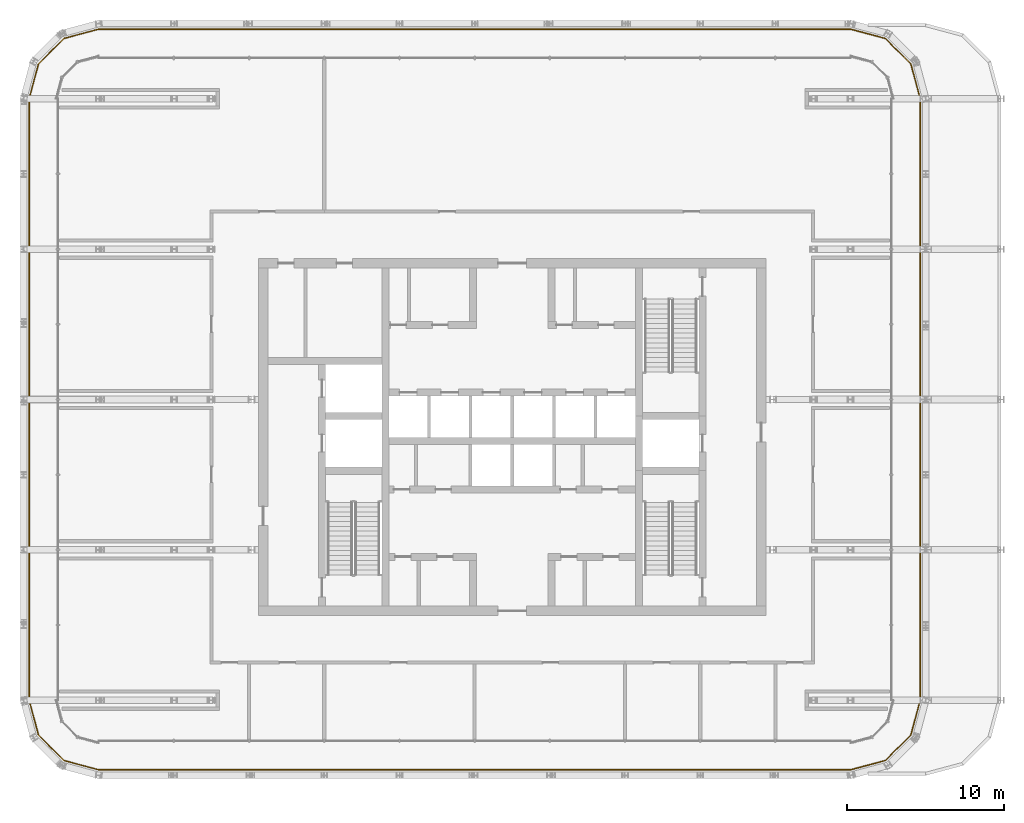
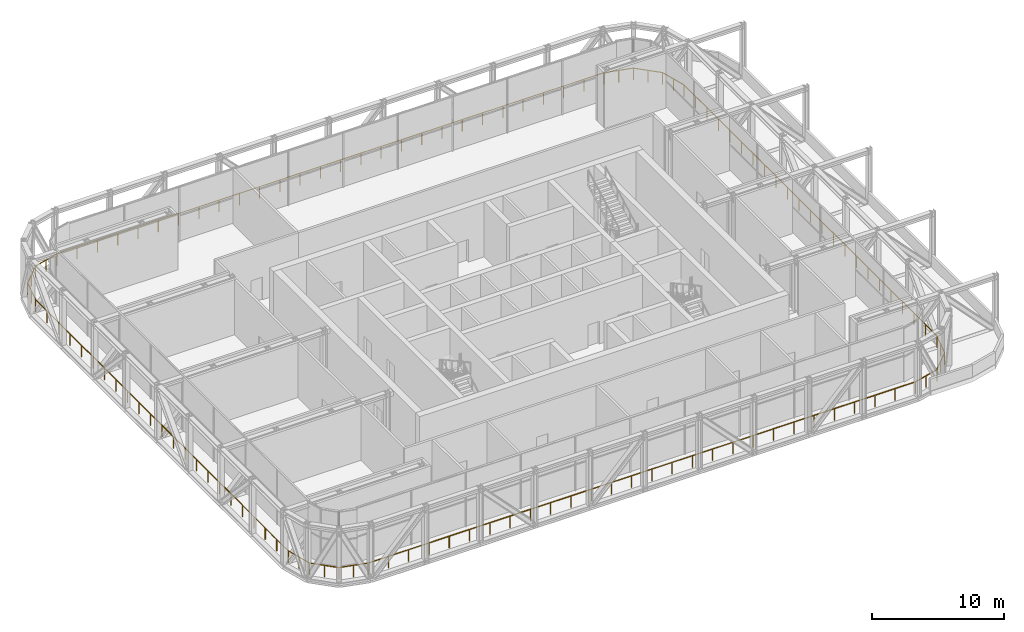
# One storey, part 23 of 26: 2 railings.
"""IFC4 building model written with IfcOpenShell, lengths in metres."""

from ifc_helpers import new_model, si_unit, direction, frame, origin, origin_2d, place, context, subcontext, project, spatial, circle, extrude, material, type_object, element, save


model = new_model("IFC4")

# Units and contexts
model_context = context("Model", 3, precision=1e-05, world=origin(), true_north=direction((0.0, 1.0)))
body_context = subcontext(model_context, "Body", "Model", "MODEL_VIEW")
ifc_project = project(units=[si_unit("LENGTHUNIT", "METRE"), si_unit("AREAUNIT", "SQUARE_METRE"), si_unit("VOLUMEUNIT", "CUBIC_METRE"), si_unit("PLANEANGLEUNIT", "RADIAN"), si_unit("MASSUNIT", "GRAM", prefix="KILO")], contexts=[model_context])

# Site, building, storey
site_placement = place(None, origin())
site = spatial("IfcSite", under=ifc_project, at=site_placement, CompositionType="ELEMENT")
building_placement = place(site_placement, origin())
building = spatial("IfcBuilding", under=site, at=building_placement, Name="Madar Terraces", CompositionType="ELEMENT")
storey_placement = place(building_placement, frame((0.0, 0.0, 233.300048828125)))
storey = spatial("IfcBuildingStorey", under=building, at=storey_placement, Name="L61", CompositionType="ELEMENT", Elevation=233.300048828125)

# Railings
ifc_material = material(Name="Glass, safety glazing, with stainless steel posts", Category="steel")
railing_type = type_object("IfcRailingType", Name="Balcony glass guard 1100", PredefinedType="GUARDRAIL", material=ifc_material)
railing_1_placement = place(storey_placement, frame((52.800048828125, 5.154541015625, 0.0)))
element("IfcRailing", 1, at=railing_1_placement, inside=storey, type_object=railing_type, Name="Gallery guard", PredefinedType="GUARDRAIL", context=body_context, shape_type="SweptSolid", body=[
    extrude(circle(Radius=0.02392578125, at=origin_2d()), frame((0.0, 0.0, 1.076171875), z_axis=(0.96593668607, 0.258778512448, 0.0), x_axis=(-0.258778512448, 0.96593668607, 0.0)), (0.0, 0.0, 1.0), 2.301025390625),
    extrude(circle(Radius=0.02392578125, at=origin_2d()), frame((2.22265625, 0.595458984375, 1.076171875), z_axis=(0.707106781187, 0.707106781187, 0.0), x_axis=(-0.707106781187, 0.707106781187, 0.0)), (0.0, 0.0, 1.0), 2.30126953125),
    extrude(circle(Radius=0.02392578125, at=origin_2d()), frame((3.849853515625, 2.22265625, 1.076171875), z_axis=(0.258850976204, 0.965917269811, 0.0), x_axis=(-0.965917269811, 0.258850976204, 0.0)), (0.0, 0.0, 1.0), 2.30126953125),
    extrude(circle(Radius=0.02392578125, at=origin_2d()), frame((4.445556640625, 4.445556640625, 1.076171875), z_axis=(0.0, 1.0, 0.0), x_axis=(-1.0, 0.0, 0.0)), (0.0, 0.0, 1.0), 38.39990234375),
    extrude(circle(Radius=0.02392578125, at=origin_2d()), frame((4.445556640625, 42.845458984375, 1.076171875), z_axis=(-0.258850976204, 0.965917269811, 0.0), x_axis=(-0.965917269811, -0.258850976204, 0.0)), (0.0, 0.0, 1.0), 2.30126953125),
    extrude(circle(Radius=0.02392578125, at=origin_2d()), frame((3.849853515625, 45.068359375, 1.076171875), z_axis=(-0.707159829446, 0.707053728947, 0.0), x_axis=(-0.707053728947, -0.707159829446, 0.0)), (0.0, 0.0, 1.0), 2.301025390625),
    extrude(circle(Radius=0.02392578125, at=origin_2d()), frame((2.22265625, 46.6953125, 1.076171875), z_axis=(-0.965910160519, 0.258877503478, 0.0), x_axis=(-0.258877503478, -0.965910160519, 0.0)), (0.0, 0.0, 1.0), 2.301025390625),
    extrude(circle(Radius=0.02392578125, at=origin_2d()), frame((0.0, 47.291015625, 1.076171875), z_axis=(-1.0, 0.0, 0.0), x_axis=(0.0, -1.0, 0.0)), (0.0, 0.0, 1.0), 48.0),
    extrude(circle(Radius=0.02099609375, at=origin_2d()), origin(), (0.0, 0.0, 1.0), 1.052001953125),
    extrude(circle(Radius=0.02099609375, at=origin_2d()), frame((1.111328125, 0.2978515625, 0.0)), (0.0, 0.0, 1.0), 1.052001953125),
    extrude(circle(Radius=0.02099609375, at=origin_2d()), frame((2.22265625, 0.595458984375, 0.0)), (0.0, 0.0, 1.0), 1.052001953125),
    extrude(circle(Radius=0.02099609375, at=origin_2d()), frame((3.0361328125, 1.4091796875, 0.0)), (0.0, 0.0, 1.0), 1.052001953125),
    extrude(circle(Radius=0.02099609375, at=origin_2d()), frame((3.849853515625, 2.22265625, 0.0)), (0.0, 0.0, 1.0), 1.052001953125),
    extrude(circle(Radius=0.02099609375, at=origin_2d()), frame((4.147705078125, 3.333984375, 0.0)), (0.0, 0.0, 1.0), 1.052001953125),
    extrude(circle(Radius=0.02099609375, at=origin_2d()), frame((4.445556640625, 4.445556640625, 0.0)), (0.0, 0.0, 1.0), 1.052001953125),
    extrude(circle(Radius=0.02099609375, at=origin_2d()), frame((4.445556640625, 6.19091796875, 0.0)), (0.0, 0.0, 1.0), 1.052001953125),
    extrude(circle(Radius=0.02099609375, at=origin_2d()), frame((4.445556640625, 7.9365234375, 0.0)), (0.0, 0.0, 1.0), 1.052001953125),
    extrude(circle(Radius=0.02099609375, at=origin_2d()), frame((4.445556640625, 9.681884765625, 0.0)), (0.0, 0.0, 1.0), 1.052001953125),
    extrude(circle(Radius=0.02099609375, at=origin_2d()), frame((4.445556640625, 11.42724609375, 0.0)), (0.0, 0.0, 1.0), 1.052001953125),
    extrude(circle(Radius=0.02099609375, at=origin_2d()), frame((4.445556640625, 13.1728515625, 0.0)), (0.0, 0.0, 1.0), 1.052001953125),
    extrude(circle(Radius=0.02099609375, at=origin_2d()), frame((4.445556640625, 14.918212890625, 0.0)), (0.0, 0.0, 1.0), 1.052001953125),
    extrude(circle(Radius=0.02099609375, at=origin_2d()), frame((4.445556640625, 16.663818359375, 0.0)), (0.0, 0.0, 1.0), 1.052001953125),
    extrude(circle(Radius=0.02099609375, at=origin_2d()), frame((4.445556640625, 18.4091796875, 0.0)), (0.0, 0.0, 1.0), 1.052001953125),
    extrude(circle(Radius=0.02099609375, at=origin_2d()), frame((4.445556640625, 20.154541015625, 0.0)), (0.0, 0.0, 1.0), 1.052001953125),
    extrude(circle(Radius=0.02099609375, at=origin_2d()), frame((4.445556640625, 21.900146484375, 0.0)), (0.0, 0.0, 1.0), 1.052001953125),
    extrude(circle(Radius=0.02099609375, at=origin_2d()), frame((4.445556640625, 23.6455078125, 0.0)), (0.0, 0.0, 1.0), 1.052001953125),
    extrude(circle(Radius=0.02099609375, at=origin_2d()), frame((4.445556640625, 25.390869140625, 0.0)), (0.0, 0.0, 1.0), 1.052001953125),
    extrude(circle(Radius=0.02099609375, at=origin_2d()), frame((4.445556640625, 27.136474609375, 0.0)), (0.0, 0.0, 1.0), 1.052001953125),
    extrude(circle(Radius=0.02099609375, at=origin_2d()), frame((4.445556640625, 28.8818359375, 0.0)), (0.0, 0.0, 1.0), 1.052001953125),
    extrude(circle(Radius=0.02099609375, at=origin_2d()), frame((4.445556640625, 30.627197265625, 0.0)), (0.0, 0.0, 1.0), 1.052001953125),
    extrude(circle(Radius=0.02099609375, at=origin_2d()), frame((4.445556640625, 32.372802734375, 0.0)), (0.0, 0.0, 1.0), 1.052001953125),
    extrude(circle(Radius=0.02099609375, at=origin_2d()), frame((4.445556640625, 34.1181640625, 0.0)), (0.0, 0.0, 1.0), 1.052001953125),
    extrude(circle(Radius=0.02099609375, at=origin_2d()), frame((4.445556640625, 35.86376953125, 0.0)), (0.0, 0.0, 1.0), 1.052001953125),
    extrude(circle(Radius=0.02099609375, at=origin_2d()), frame((4.445556640625, 37.609130859375, 0.0)), (0.0, 0.0, 1.0), 1.052001953125),
    extrude(circle(Radius=0.02099609375, at=origin_2d()), frame((4.445556640625, 39.3544921875, 0.0)), (0.0, 0.0, 1.0), 1.052001953125),
    extrude(circle(Radius=0.02099609375, at=origin_2d()), frame((4.445556640625, 41.10009765625, 0.0)), (0.0, 0.0, 1.0), 1.052001953125),
    extrude(circle(Radius=0.02099609375, at=origin_2d()), frame((4.445556640625, 42.845458984375, 0.0)), (0.0, 0.0, 1.0), 1.052001953125),
    extrude(circle(Radius=0.02099609375, at=origin_2d()), frame((4.147705078125, 43.95703125, 0.0)), (0.0, 0.0, 1.0), 1.052001953125),
    extrude(circle(Radius=0.02099609375, at=origin_2d()), frame((3.849853515625, 45.068359375, 0.0)), (0.0, 0.0, 1.0), 1.052001953125),
    extrude(circle(Radius=0.02099609375, at=origin_2d()), frame((3.0361328125, 45.8818359375, 0.0)), (0.0, 0.0, 1.0), 1.052001953125),
    extrude(circle(Radius=0.02099609375, at=origin_2d()), frame((2.22265625, 46.6953125, 0.0)), (0.0, 0.0, 1.0), 1.052001953125),
    extrude(circle(Radius=0.02099609375, at=origin_2d()), frame((1.111328125, 46.9931640625, 0.0)), (0.0, 0.0, 1.0), 1.052001953125),
    extrude(circle(Radius=0.02099609375, at=origin_2d()), frame((0.0, 47.291015625, 0.0)), (0.0, 0.0, 1.0), 1.052001953125),
    extrude(circle(Radius=0.02099609375, at=origin_2d()), frame((-1.77783203125, 47.291015625, 0.0)), (0.0, 0.0, 1.0), 1.052001953125),
    extrude(circle(Radius=0.02099609375, at=origin_2d()), frame((-3.5556640625, 47.291015625, 0.0)), (0.0, 0.0, 1.0), 1.052001953125),
    extrude(circle(Radius=0.02099609375, at=origin_2d()), frame((-5.333251953125, 47.291015625, 0.0)), (0.0, 0.0, 1.0), 1.052001953125),
    extrude(circle(Radius=0.02099609375, at=origin_2d()), frame((-7.111083984375, 47.291015625, 0.0)), (0.0, 0.0, 1.0), 1.052001953125),
    extrude(circle(Radius=0.02099609375, at=origin_2d()), frame((-8.888916015625, 47.291015625, 0.0)), (0.0, 0.0, 1.0), 1.052001953125),
    extrude(circle(Radius=0.02099609375, at=origin_2d()), frame((-10.666748046875, 47.291015625, 0.0)), (0.0, 0.0, 1.0), 1.052001953125),
    extrude(circle(Radius=0.02099609375, at=origin_2d()), frame((-12.4443359375, 47.291015625, 0.0)), (0.0, 0.0, 1.0), 1.052001953125),
    extrude(circle(Radius=0.02099609375, at=origin_2d()), frame((-14.22216796875, 47.291015625, 0.0)), (0.0, 0.0, 1.0), 1.052001953125),
    extrude(circle(Radius=0.02099609375, at=origin_2d()), frame((-16.0, 47.291015625, 0.0)), (0.0, 0.0, 1.0), 1.052001953125),
    extrude(circle(Radius=0.02099609375, at=origin_2d()), frame((-17.77783203125, 47.291015625, 0.0)), (0.0, 0.0, 1.0), 1.052001953125),
    extrude(circle(Radius=0.02099609375, at=origin_2d()), frame((-19.5556640625, 47.291015625, 0.0)), (0.0, 0.0, 1.0), 1.052001953125),
    extrude(circle(Radius=0.02099609375, at=origin_2d()), frame((-21.333251953125, 47.291015625, 0.0)), (0.0, 0.0, 1.0), 1.052001953125),
    extrude(circle(Radius=0.02099609375, at=origin_2d()), frame((-23.111083984375, 47.291015625, 0.0)), (0.0, 0.0, 1.0), 1.052001953125),
    extrude(circle(Radius=0.02099609375, at=origin_2d()), frame((-24.888916015625, 47.291015625, 0.0)), (0.0, 0.0, 1.0), 1.052001953125),
    extrude(circle(Radius=0.02099609375, at=origin_2d()), frame((-26.666748046875, 47.291015625, 0.0)), (0.0, 0.0, 1.0), 1.052001953125),
    extrude(circle(Radius=0.02099609375, at=origin_2d()), frame((-28.4443359375, 47.291015625, 0.0)), (0.0, 0.0, 1.0), 1.052001953125),
    extrude(circle(Radius=0.02099609375, at=origin_2d()), frame((-30.22216796875, 47.291015625, 0.0)), (0.0, 0.0, 1.0), 1.052001953125),
    extrude(circle(Radius=0.02099609375, at=origin_2d()), frame((-32.0, 47.291015625, 0.0)), (0.0, 0.0, 1.0), 1.052001953125),
    extrude(circle(Radius=0.02099609375, at=origin_2d()), frame((-33.77783203125, 47.291015625, 0.0)), (0.0, 0.0, 1.0), 1.052001953125),
    extrude(circle(Radius=0.02099609375, at=origin_2d()), frame((-35.5556640625, 47.291015625, 0.0)), (0.0, 0.0, 1.0), 1.052001953125),
    extrude(circle(Radius=0.02099609375, at=origin_2d()), frame((-37.333251953125, 47.291015625, 0.0)), (0.0, 0.0, 1.0), 1.052001953125),
    extrude(circle(Radius=0.02099609375, at=origin_2d()), frame((-39.111083984375, 47.291015625, 0.0)), (0.0, 0.0, 1.0), 1.052001953125),
    extrude(circle(Radius=0.02099609375, at=origin_2d()), frame((-40.888916015625, 47.291015625, 0.0)), (0.0, 0.0, 1.0), 1.052001953125),
    extrude(circle(Radius=0.02099609375, at=origin_2d()), frame((-42.666748046875, 47.291015625, 0.0)), (0.0, 0.0, 1.0), 1.052001953125),
    extrude(circle(Radius=0.02099609375, at=origin_2d()), frame((-44.4443359375, 47.291015625, 0.0)), (0.0, 0.0, 1.0), 1.052001953125),
    extrude(circle(Radius=0.02099609375, at=origin_2d()), frame((-46.22216796875, 47.291015625, 0.0)), (0.0, 0.0, 1.0), 1.052001953125),
    extrude(circle(Radius=0.02099609375, at=origin_2d()), frame((-48.0, 47.291015625, 0.0)), (0.0, 0.0, 1.0), 1.052001953125),
])
railing_2_placement = place(storey_placement, frame((4.800048828125, 52.445556640625, 0.0)))
element("IfcRailing", 2, at=railing_2_placement, inside=storey, type_object=railing_type, Name="Gallery guard", PredefinedType="GUARDRAIL", context=body_context, shape_type="SweptSolid", body=[
    extrude(circle(Radius=0.02392578125, at=origin_2d()), frame((0.0, 0.0, 1.076171875), z_axis=(-0.965917269811, -0.258850976204, 0.0), x_axis=(0.258850976204, -0.965917269811, 0.0)), (0.0, 0.0, 1.0), 2.30126953125),
    extrude(circle(Radius=0.02392578125, at=origin_2d()), frame((-2.222900390625, -0.595703125, 1.076171875), z_axis=(-0.707106781187, -0.707106781187, 0.0), x_axis=(0.707106781187, -0.707106781187, 0.0)), (0.0, 0.0, 1.0), 2.30078125),
    extrude(circle(Radius=0.02392578125, at=origin_2d()), frame((-3.849853515625, -2.22265625, 1.076171875), z_axis=(-0.258850976204, -0.965917269811, 0.0), x_axis=(0.965917269811, -0.258850976204, 0.0)), (0.0, 0.0, 1.0), 2.30126953125),
    extrude(circle(Radius=0.02392578125, at=origin_2d()), frame((-4.445556640625, -4.445556640625, 1.076171875), z_axis=(0.0, -1.0, 0.0), x_axis=(1.0, 0.0, 0.0)), (0.0, 0.0, 1.0), 38.39990234375),
    extrude(circle(Radius=0.02392578125, at=origin_2d()), frame((-4.445556640625, -42.845458984375, 1.076171875), z_axis=(0.258850976204, -0.965917269811, 0.0), x_axis=(0.965917269811, 0.258850976204, 0.0)), (0.0, 0.0, 1.0), 2.30126953125),
    extrude(circle(Radius=0.02392578125, at=origin_2d()), frame((-3.849853515625, -45.068359375, 1.076171875), z_axis=(0.707053728947, -0.707159829446, 0.0), x_axis=(0.707159829446, 0.707053728947, 0.0)), (0.0, 0.0, 1.0), 2.301025390625),
    extrude(circle(Radius=0.02392578125, at=origin_2d()), frame((-2.222900390625, -46.695556640625, 1.076171875), z_axis=(0.965943790121, -0.258751993861, 0.0), x_axis=(0.258751993861, 0.965943790121, 0.0)), (0.0, 0.0, 1.0), 2.30126953125),
    extrude(circle(Radius=0.02392578125, at=origin_2d()), frame((0.0, -47.291015625, 1.076171875), z_axis=(1.0, 0.0, 0.0), x_axis=(0.0, 1.0, 0.0)), (0.0, 0.0, 1.0), 48.0),
    extrude(circle(Radius=0.02099609375, at=origin_2d()), origin(), (0.0, 0.0, 1.0), 1.052001953125),
    extrude(circle(Radius=0.02099609375, at=origin_2d()), frame((-1.111328125, -0.2978515625, 0.0)), (0.0, 0.0, 1.0), 1.052001953125),
    extrude(circle(Radius=0.02099609375, at=origin_2d()), frame((-2.222900390625, -0.595703125, 0.0)), (0.0, 0.0, 1.0), 1.052001953125),
    extrude(circle(Radius=0.02099609375, at=origin_2d()), frame((-3.036376953125, -1.4091796875, 0.0)), (0.0, 0.0, 1.0), 1.052001953125),
    extrude(circle(Radius=0.02099609375, at=origin_2d()), frame((-3.849853515625, -2.22265625, 0.0)), (0.0, 0.0, 1.0), 1.052001953125),
    extrude(circle(Radius=0.02099609375, at=origin_2d()), frame((-4.147705078125, -3.333984375, 0.0)), (0.0, 0.0, 1.0), 1.052001953125),
    extrude(circle(Radius=0.02099609375, at=origin_2d()), frame((-4.445556640625, -4.445556640625, 0.0)), (0.0, 0.0, 1.0), 1.052001953125),
    extrude(circle(Radius=0.02099609375, at=origin_2d()), frame((-4.445556640625, -6.19091796875, 0.0)), (0.0, 0.0, 1.0), 1.052001953125),
    extrude(circle(Radius=0.02099609375, at=origin_2d()), frame((-4.445556640625, -7.9365234375, 0.0)), (0.0, 0.0, 1.0), 1.052001953125),
    extrude(circle(Radius=0.02099609375, at=origin_2d()), frame((-4.445556640625, -9.681884765625, 0.0)), (0.0, 0.0, 1.0), 1.052001953125),
    extrude(circle(Radius=0.02099609375, at=origin_2d()), frame((-4.445556640625, -11.42724609375, 0.0)), (0.0, 0.0, 1.0), 1.052001953125),
    extrude(circle(Radius=0.02099609375, at=origin_2d()), frame((-4.445556640625, -13.1728515625, 0.0)), (0.0, 0.0, 1.0), 1.052001953125),
    extrude(circle(Radius=0.02099609375, at=origin_2d()), frame((-4.445556640625, -14.918212890625, 0.0)), (0.0, 0.0, 1.0), 1.052001953125),
    extrude(circle(Radius=0.02099609375, at=origin_2d()), frame((-4.445556640625, -16.663818359375, 0.0)), (0.0, 0.0, 1.0), 1.052001953125),
    extrude(circle(Radius=0.02099609375, at=origin_2d()), frame((-4.445556640625, -18.4091796875, 0.0)), (0.0, 0.0, 1.0), 1.052001953125),
    extrude(circle(Radius=0.02099609375, at=origin_2d()), frame((-4.445556640625, -20.154541015625, 0.0)), (0.0, 0.0, 1.0), 1.052001953125),
    extrude(circle(Radius=0.02099609375, at=origin_2d()), frame((-4.445556640625, -21.900146484375, 0.0)), (0.0, 0.0, 1.0), 1.052001953125),
    extrude(circle(Radius=0.02099609375, at=origin_2d()), frame((-4.445556640625, -23.6455078125, 0.0)), (0.0, 0.0, 1.0), 1.052001953125),
    extrude(circle(Radius=0.02099609375, at=origin_2d()), frame((-4.445556640625, -25.390869140625, 0.0)), (0.0, 0.0, 1.0), 1.052001953125),
    extrude(circle(Radius=0.02099609375, at=origin_2d()), frame((-4.445556640625, -27.136474609375, 0.0)), (0.0, 0.0, 1.0), 1.052001953125),
    extrude(circle(Radius=0.02099609375, at=origin_2d()), frame((-4.445556640625, -28.8818359375, 0.0)), (0.0, 0.0, 1.0), 1.052001953125),
    extrude(circle(Radius=0.02099609375, at=origin_2d()), frame((-4.445556640625, -30.627197265625, 0.0)), (0.0, 0.0, 1.0), 1.052001953125),
    extrude(circle(Radius=0.02099609375, at=origin_2d()), frame((-4.445556640625, -32.372802734375, 0.0)), (0.0, 0.0, 1.0), 1.052001953125),
    extrude(circle(Radius=0.02099609375, at=origin_2d()), frame((-4.445556640625, -34.1181640625, 0.0)), (0.0, 0.0, 1.0), 1.052001953125),
    extrude(circle(Radius=0.02099609375, at=origin_2d()), frame((-4.445556640625, -35.86376953125, 0.0)), (0.0, 0.0, 1.0), 1.052001953125),
    extrude(circle(Radius=0.02099609375, at=origin_2d()), frame((-4.445556640625, -37.609130859375, 0.0)), (0.0, 0.0, 1.0), 1.052001953125),
    extrude(circle(Radius=0.02099609375, at=origin_2d()), frame((-4.445556640625, -39.3544921875, 0.0)), (0.0, 0.0, 1.0), 1.052001953125),
    extrude(circle(Radius=0.02099609375, at=origin_2d()), frame((-4.445556640625, -41.10009765625, 0.0)), (0.0, 0.0, 1.0), 1.052001953125),
    extrude(circle(Radius=0.02099609375, at=origin_2d()), frame((-4.445556640625, -42.845458984375, 0.0)), (0.0, 0.0, 1.0), 1.052001953125),
    extrude(circle(Radius=0.02099609375, at=origin_2d()), frame((-4.147705078125, -43.95703125, 0.0)), (0.0, 0.0, 1.0), 1.052001953125),
    extrude(circle(Radius=0.02099609375, at=origin_2d()), frame((-3.849853515625, -45.068359375, 0.0)), (0.0, 0.0, 1.0), 1.052001953125),
    extrude(circle(Radius=0.02099609375, at=origin_2d()), frame((-3.036376953125, -45.8818359375, 0.0)), (0.0, 0.0, 1.0), 1.052001953125),
    extrude(circle(Radius=0.02099609375, at=origin_2d()), frame((-2.222900390625, -46.695556640625, 0.0)), (0.0, 0.0, 1.0), 1.052001953125),
    extrude(circle(Radius=0.02099609375, at=origin_2d()), frame((-1.111328125, -46.9931640625, 0.0)), (0.0, 0.0, 1.0), 1.052001953125),
    extrude(circle(Radius=0.02099609375, at=origin_2d()), frame((0.0, -47.291015625, 0.0)), (0.0, 0.0, 1.0), 1.052001953125),
    extrude(circle(Radius=0.02099609375, at=origin_2d()), frame((1.77783203125, -47.291015625, 0.0)), (0.0, 0.0, 1.0), 1.052001953125),
    extrude(circle(Radius=0.02099609375, at=origin_2d()), frame((3.5556640625, -47.291015625, 0.0)), (0.0, 0.0, 1.0), 1.052001953125),
    extrude(circle(Radius=0.02099609375, at=origin_2d()), frame((5.333251953125, -47.291015625, 0.0)), (0.0, 0.0, 1.0), 1.052001953125),
    extrude(circle(Radius=0.02099609375, at=origin_2d()), frame((7.111083984375, -47.291015625, 0.0)), (0.0, 0.0, 1.0), 1.052001953125),
    extrude(circle(Radius=0.02099609375, at=origin_2d()), frame((8.888916015625, -47.291015625, 0.0)), (0.0, 0.0, 1.0), 1.052001953125),
    extrude(circle(Radius=0.02099609375, at=origin_2d()), frame((10.666748046875, -47.291015625, 0.0)), (0.0, 0.0, 1.0), 1.052001953125),
    extrude(circle(Radius=0.02099609375, at=origin_2d()), frame((12.4443359375, -47.291015625, 0.0)), (0.0, 0.0, 1.0), 1.052001953125),
    extrude(circle(Radius=0.02099609375, at=origin_2d()), frame((14.22216796875, -47.291015625, 0.0)), (0.0, 0.0, 1.0), 1.052001953125),
    extrude(circle(Radius=0.02099609375, at=origin_2d()), frame((16.0, -47.291015625, 0.0)), (0.0, 0.0, 1.0), 1.052001953125),
    extrude(circle(Radius=0.02099609375, at=origin_2d()), frame((17.77783203125, -47.291015625, 0.0)), (0.0, 0.0, 1.0), 1.052001953125),
    extrude(circle(Radius=0.02099609375, at=origin_2d()), frame((19.5556640625, -47.291015625, 0.0)), (0.0, 0.0, 1.0), 1.052001953125),
    extrude(circle(Radius=0.02099609375, at=origin_2d()), frame((21.333251953125, -47.291015625, 0.0)), (0.0, 0.0, 1.0), 1.052001953125),
    extrude(circle(Radius=0.02099609375, at=origin_2d()), frame((23.111083984375, -47.291015625, 0.0)), (0.0, 0.0, 1.0), 1.052001953125),
    extrude(circle(Radius=0.02099609375, at=origin_2d()), frame((24.888916015625, -47.291015625, 0.0)), (0.0, 0.0, 1.0), 1.052001953125),
    extrude(circle(Radius=0.02099609375, at=origin_2d()), frame((26.666748046875, -47.291015625, 0.0)), (0.0, 0.0, 1.0), 1.052001953125),
    extrude(circle(Radius=0.02099609375, at=origin_2d()), frame((28.4443359375, -47.291015625, 0.0)), (0.0, 0.0, 1.0), 1.052001953125),
    extrude(circle(Radius=0.02099609375, at=origin_2d()), frame((30.22216796875, -47.291015625, 0.0)), (0.0, 0.0, 1.0), 1.052001953125),
    extrude(circle(Radius=0.02099609375, at=origin_2d()), frame((32.0, -47.291015625, 0.0)), (0.0, 0.0, 1.0), 1.052001953125),
    extrude(circle(Radius=0.02099609375, at=origin_2d()), frame((33.77783203125, -47.291015625, 0.0)), (0.0, 0.0, 1.0), 1.052001953125),
    extrude(circle(Radius=0.02099609375, at=origin_2d()), frame((35.5556640625, -47.291015625, 0.0)), (0.0, 0.0, 1.0), 1.052001953125),
    extrude(circle(Radius=0.02099609375, at=origin_2d()), frame((37.333251953125, -47.291015625, 0.0)), (0.0, 0.0, 1.0), 1.052001953125),
    extrude(circle(Radius=0.02099609375, at=origin_2d()), frame((39.111083984375, -47.291015625, 0.0)), (0.0, 0.0, 1.0), 1.052001953125),
    extrude(circle(Radius=0.02099609375, at=origin_2d()), frame((40.888916015625, -47.291015625, 0.0)), (0.0, 0.0, 1.0), 1.052001953125),
    extrude(circle(Radius=0.02099609375, at=origin_2d()), frame((42.666748046875, -47.291015625, 0.0)), (0.0, 0.0, 1.0), 1.052001953125),
    extrude(circle(Radius=0.02099609375, at=origin_2d()), frame((44.4443359375, -47.291015625, 0.0)), (0.0, 0.0, 1.0), 1.052001953125),
    extrude(circle(Radius=0.02099609375, at=origin_2d()), frame((46.22216796875, -47.291015625, 0.0)), (0.0, 0.0, 1.0), 1.052001953125),
    extrude(circle(Radius=0.02099609375, at=origin_2d()), frame((48.0, -47.291015625, 0.0)), (0.0, 0.0, 1.0), 1.052001953125),
])

save(model, "model.ifc")
